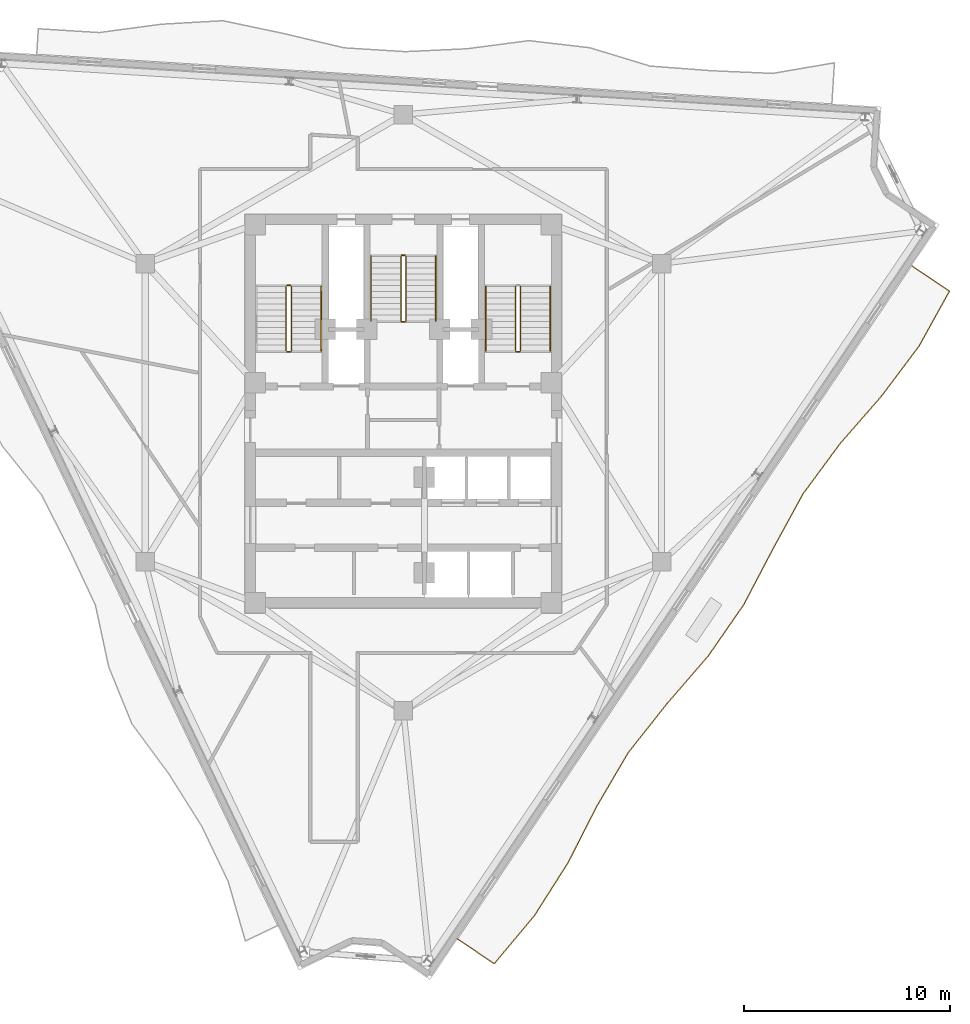
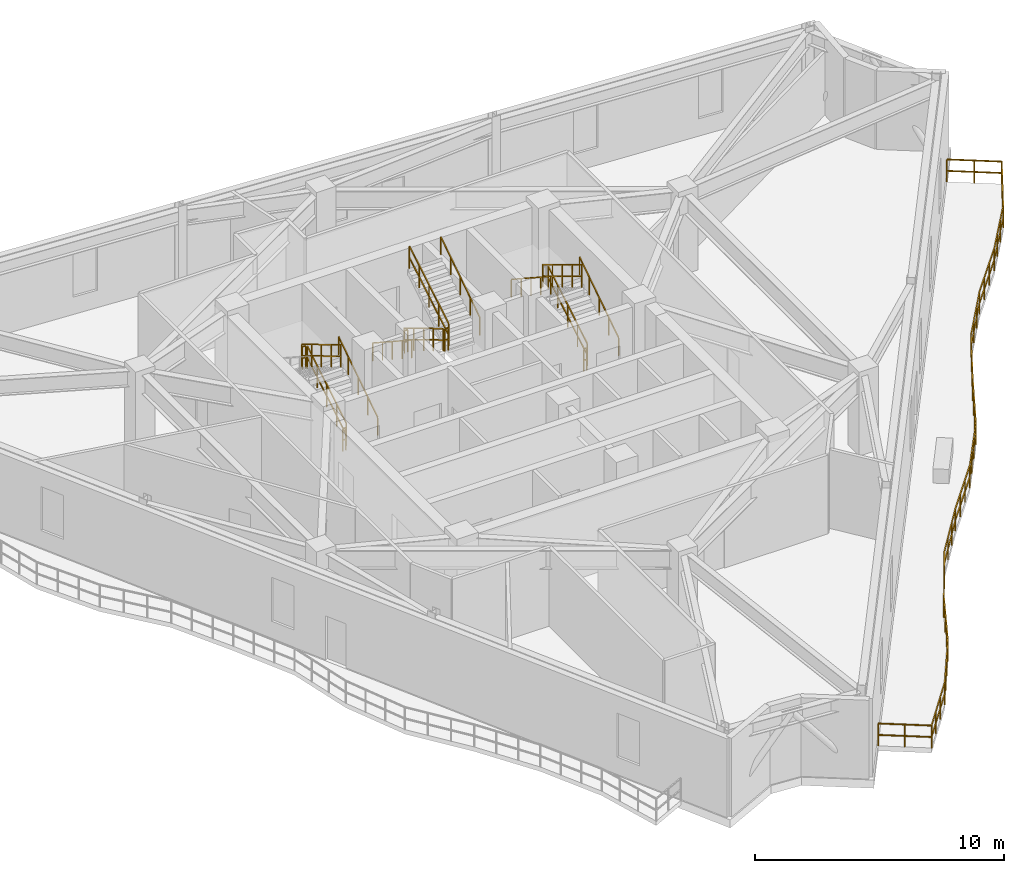
# One storey, part 10 of 11: 17 railings.
"""IFC4 building model written with IfcOpenShell, lengths in metres."""

import ifcopenshell
import ifcopenshell.guid

model = None  # the IFC model being written
_history = None  # IfcOwnerHistory: only IFC2X3 demands one
_inside = {}  # id of a spatial element -> (the spatial element, [elements in it])
_under = {}  # id of a project, library or spatial element -> (it, [spatial elements below it])
_declared = {}  # id of a project -> (the project, [libraries it declares])
_typed = {}  # id of a type object -> (the type object, [elements of that type])
_made_of = {}  # id of a material, layer set ... -> (it, [elements and type objects made of it])


def new_model(schema):
    """Start an empty IFC model of exactly this schema.

    Asked for "IFC4X3", IfcOpenShell would pick the latest addendum, in which some entities
    have other attributes; the version numbers below select the first issue.
    IFC2X3 requires an IfcOwnerHistory on every rooted entity: one is made here for all.
    """
    global model, _history
    if schema == "IFC4X3":
        model = ifcopenshell.file(schema_version=(4, 3, 0, 0))
    else:
        model = ifcopenshell.file(schema=schema)
    _inside.clear()
    _under.clear()
    _declared.clear()
    _typed.clear()
    _made_of.clear()
    _history = None
    if model.schema == "IFC2X3":
        org = make("IfcOrganization", Name="unknown")
        user = make(
            "IfcPersonAndOrganization",
            ThePerson=make("IfcPerson", FamilyName="unknown"),
            TheOrganization=org,
        )
        app = make(
            "IfcApplication",
            ApplicationDeveloper=org,
            Version="unknown",
            ApplicationFullName="unknown",
            ApplicationIdentifier="unknown",
        )
        _history = make(
            "IfcOwnerHistory",
            OwningUser=user,
            OwningApplication=app,
            ChangeAction="ADDED",
            CreationDate=0,
        )
    return model


def make(cls, **values):
    """One entity of the class cls with the attributes given. An attribute that is None is left unset."""
    return model.create_entity(
        cls, **{name: value for name, value in values.items() if value is not None}
    )


def rooted(cls, **values):
    """An entity with a GlobalId (a new one), such as an element, a storey or a relation."""
    return make(cls, GlobalId=ifcopenshell.guid.new(), OwnerHistory=_history, **values)


def si_unit(unit_type, name, prefix=None):
    """IfcSIUnit, for example si_unit("LENGTHUNIT", "METRE", prefix="MILLI")."""
    return make("IfcSIUnit", UnitType=unit_type, Prefix=prefix, Name=name)


def assignment(units):
    """IfcUnitAssignment: the units of a project."""
    return None if units is None else make("IfcUnitAssignment", Units=units)


def point(xyz):
    """IfcCartesianPoint."""
    return None if xyz is None else make("IfcCartesianPoint", Coordinates=xyz)


def direction(xyz):
    """IfcDirection."""
    return None if xyz is None else make("IfcDirection", DirectionRatios=xyz)


def frame(location, z_axis=None, x_axis=None):
    """IfcAxis2Placement3D, a coordinate frame: its origin and axes. An axis left out is left unset."""
    return make(
        "IfcAxis2Placement3D",
        Location=point(location),
        Axis=direction(z_axis),
        RefDirection=direction(x_axis),
    )


def frame_2d(location, x_axis=None):
    """IfcAxis2Placement2D, a coordinate frame in the plane: its origin and x axis."""
    return make(
        "IfcAxis2Placement2D", Location=point(location), RefDirection=direction(x_axis)
    )


def origin():
    """The frame at (0, 0, 0) with its axes left unset."""
    return frame((0.0, 0.0, 0.0))


def origin_2d():
    """The frame at (0, 0) in the plane with its x axis left unset."""
    return frame_2d((0.0, 0.0))


def place(relative_to, where):
    """IfcLocalPlacement: puts the frame where relative to a parent placement (None: the world)."""
    return make(
        "IfcLocalPlacement", PlacementRelTo=relative_to, RelativePlacement=where
    )


def context(
    kind, dimensions, precision=None, world=None, true_north=None, identifier=None
):
    """IfcGeometricRepresentationContext, for example the 3D "Model" context."""
    return make(
        "IfcGeometricRepresentationContext",
        ContextIdentifier=identifier,
        ContextType=kind,
        CoordinateSpaceDimension=dimensions,
        Precision=precision,
        WorldCoordinateSystem=world,
        TrueNorth=true_north,
    )


def subcontext(parent, identifier, kind, view, scale=None):
    """IfcGeometricRepresentationSubContext, for example "Body" below "Model"."""
    return make(
        "IfcGeometricRepresentationSubContext",
        ContextIdentifier=identifier,
        ContextType=kind,
        ParentContext=parent,
        TargetScale=scale,
        TargetView=view,
    )


def project(units=None, contexts=None):
    """IfcProject with its units and contexts."""
    return rooted(
        "IfcProject",
        Name="project",
        RepresentationContexts=contexts,
        UnitsInContext=assignment(units),
    )


def spatial(cls, under=None, at=None, **own):
    """A site, building, storey or space (cls), placed at a placement, below another one or the project."""
    s = rooted(cls, ObjectPlacement=at, **own)
    if under is not None:
        _under.setdefault(under.id(), (under, []))[1].append(s)
    return s


def profile(cls, at=None, kind="AREA", **sizes):
    """A parametric profile (cls). Its sizes go by their IFC names, for example OverallWidth=200.0."""
    return make(cls, ProfileType=kind, Position=at, **sizes)


def rectangle(**sizes):
    """IfcRectangleProfileDef."""
    return profile("IfcRectangleProfileDef", **sizes)


def extrude(swept, where, along, depth):
    """IfcExtrudedAreaSolid: the profile swept, set in the frame where, extruded along a direction by depth."""
    return make(
        "IfcExtrudedAreaSolid",
        SweptArea=swept,
        Position=where,
        ExtrudedDirection=direction(along),
        Depth=depth,
    )


def shape(context_of_items, identifier, shape_type, items):
    """IfcShapeRepresentation: the items that make up one representation, for example the "Body"."""
    return make(
        "IfcShapeRepresentation",
        ContextOfItems=context_of_items,
        RepresentationIdentifier=identifier,
        RepresentationType=shape_type,
        Items=items,
    )


def material(Name=None, Category=None):
    """IfcMaterial."""
    return make("IfcMaterial", Name=Name, Category=Category)


def made_of(thing, what):
    """Note that an element or type object is made of a material, layer set ...; save() writes the relation."""
    if what is not None:
        _made_of.setdefault(what.id(), (what, []))[1].append(thing)
    return thing


def type_object(cls, material=None, **own):
    """A type object (cls), such as IfcWallType, which elements share."""
    return made_of(rooted(cls, **own), material)


def element(
    cls,
    number,
    at=None,
    inside=None,
    cuts=None,
    type_object=None,
    material=None,
    context=None,
    identifier="Body",
    shape_type=None,
    held_by="IfcProductDefinitionShape",
    body=None,
    shapes=None,
    **own,
):
    """One element of the class cls, such as IfcWall. Its Tag is "e" and its number.

    at: its placement. inside: the storey or other place that contains it. cuts: it is an
    opening in that element (IfcRelVoidsElement). A single representation is given by context,
    identifier, shape_type and body (its items); several are given by shapes. held_by: the class
    of the entity that holds the representations. save() writes the other relations.
    """
    e = rooted(cls, Tag="e%d" % number, ObjectPlacement=at, **own)
    if body is not None:
        shapes = [shape(context, identifier, shape_type, body)]
    if shapes is not None:
        e.Representation = make(held_by, Representations=shapes)
    if inside is not None:
        _inside.setdefault(inside.id(), (inside, []))[1].append(e)
    if cuts is not None:
        rooted(
            "IfcRelVoidsElement", RelatingBuildingElement=cuts, RelatedOpeningElement=e
        )
    if type_object is not None:
        _typed.setdefault(type_object.id(), (type_object, []))[1].append(e)
    return made_of(e, material)


def aggregate(whole, parts):
    """IfcRelAggregates: a whole, such as a stair, and the parts it consists of."""
    return rooted("IfcRelAggregates", RelatingObject=whole, RelatedObjects=parts)


def save(model, path):
    """Write the relations noted so far, then the file.

    IfcRelAggregates (storeys below a building ...), IfcRelContainedInSpatialStructure (elements
    in a storey), IfcRelDefinesByType, IfcRelAssociatesMaterial and IfcRelDeclares: one each for
    every whole, place, type object, material and project.
    """
    for whole, parts in _under.values():
        aggregate(whole, parts)
    for where, things in _inside.values():
        rooted(
            "IfcRelContainedInSpatialStructure",
            RelatedElements=things,
            RelatingStructure=where,
        )
    for kind, things in _typed.values():
        rooted("IfcRelDefinesByType", RelatedObjects=things, RelatingType=kind)
    for what, things in _made_of.values():
        rooted("IfcRelAssociatesMaterial", RelatedObjects=things, RelatingMaterial=what)
    for by, libraries in _declared.values():
        rooted("IfcRelDeclares", RelatingContext=by, RelatedDefinitions=libraries)
    model.write(path)


model = new_model("IFC4")

# Units and contexts
model_context = context("Model", 3, precision=1e-05, world=origin(), true_north=direction((0.0, 1.0)))
body_context = subcontext(model_context, "Body", "Model", "MODEL_VIEW")
ifc_project = project(units=[si_unit("LENGTHUNIT", "METRE"), si_unit("AREAUNIT", "SQUARE_METRE"), si_unit("VOLUMEUNIT", "CUBIC_METRE"), si_unit("PLANEANGLEUNIT", "RADIAN"), si_unit("MASSUNIT", "GRAM", prefix="KILO")], contexts=[model_context])

# Site, building, storey
site_placement = place(None, origin())
site = spatial("IfcSite", under=ifc_project, at=site_placement, CompositionType="ELEMENT")
building_placement = place(site_placement, origin())
building = spatial("IfcBuilding", under=site, at=building_placement, Name="Apsidion Concourse Tower", CompositionType="ELEMENT")
storey_placement = place(building_placement, frame((0.0, 0.0, 294.199951171875)))
storey = spatial("IfcBuildingStorey", under=building, at=storey_placement, Name="L69", CompositionType="ELEMENT", Elevation=294.199951171875)

# Railings
ifc_material = material(Name="Brushed stainless steel 316", Category="steel")
railing_type_1 = type_object("IfcRailingType", Name="RL-BAL-1120", PredefinedType="BALUSTRADE", material=ifc_material)
railing_1_placement = place(storey_placement, frame((24.735595703125, 7.147216796875, 0.0)))
element("IfcRailing", 1, at=railing_1_placement, inside=storey, type_object=railing_type_1, Name="L69 Face 2 Spiral Terrace Balustrade", PredefinedType="BALUSTRADE", context=body_context, shape_type="SweptSolid", body=[
    extrude(rectangle(XDim=0.048095703125, YDim=0.048095703125, at=origin_2d()), frame((0.0, 0.0, 1.09619140625), z_axis=(0.829035273579, -0.559196311828, 0.0), x_axis=(0.559196311828, 0.829035273579, 0.0)), (0.0, 0.0, 1.0), 2.2138671875),
    extrude(rectangle(XDim=0.048095703125, YDim=0.048095703125, at=origin_2d()), frame((0.0, 0.0, 0.5361328125), z_axis=(0.829035273579, -0.559196311828, 0.0), x_axis=(0.559196311828, 0.829035273579, 0.0)), (0.0, 0.0, 1.0), 2.2138671875),
    extrude(rectangle(XDim=0.048095703125, YDim=0.048095703125, at=origin_2d()), frame((1.83544921875, -1.238037109375, 1.09619140625), z_axis=(-0.484202146789, -0.874956159499, 0.0), x_axis=(0.874956159499, -0.484202146789, 0.0)), (0.0, 0.0, 1.0), 3.051513671875),
    extrude(rectangle(XDim=0.048095703125, YDim=0.048095703125, at=origin_2d()), frame((1.83544921875, -1.238037109375, 0.5361328125), z_axis=(-0.484202146789, -0.874956159499, 0.0), x_axis=(0.874956159499, -0.484202146789, 0.0)), (0.0, 0.0, 1.0), 3.051513671875),
    extrude(rectangle(XDim=0.048095703125, YDim=0.048095703125, at=origin_2d()), frame((0.35791015625, -3.907958984375, 1.09619140625), z_axis=(-0.599768924347, -0.800173254606, 0.0), x_axis=(0.800173254606, -0.599768924347, 0.0)), (0.0, 0.0, 1.0), 3.043212890625),
    extrude(rectangle(XDim=0.048095703125, YDim=0.048095703125, at=origin_2d()), frame((0.35791015625, -3.907958984375, 0.5361328125), z_axis=(-0.599768924347, -0.800173254606, 0.0), x_axis=(0.800173254606, -0.599768924347, 0.0)), (0.0, 0.0, 1.0), 3.043212890625),
    extrude(rectangle(XDim=0.048095703125, YDim=0.048095703125, at=origin_2d()), frame((-1.46728515625, -6.343017578125, 1.09619140625), z_axis=(-0.657669135138, -0.753306915332, 0.0), x_axis=(0.753306915332, -0.657669135138, 0.0)), (0.0, 0.0, 1.0), 3.063232421875),
    extrude(rectangle(XDim=0.048095703125, YDim=0.048095703125, at=origin_2d()), frame((-1.46728515625, -6.343017578125, 0.5361328125), z_axis=(-0.657669135138, -0.753306915332, 0.0), x_axis=(0.753306915332, -0.657669135138, 0.0)), (0.0, 0.0, 1.0), 3.063232421875),
    extrude(rectangle(XDim=0.048095703125, YDim=0.048095703125, at=origin_2d()), frame((-3.48193359375, -8.650634765625, 1.09619140625), z_axis=(-0.593573979687, -0.804779429806, 0.0), x_axis=(0.804779429806, -0.593573979687, 0.0)), (0.0, 0.0, 1.0), 3.04248046875),
    extrude(rectangle(XDim=0.048095703125, YDim=0.048095703125, at=origin_2d()), frame((-3.48193359375, -8.650634765625, 0.5361328125), z_axis=(-0.593573979687, -0.804779429806, 0.0), x_axis=(0.804779429806, -0.593573979687, 0.0)), (0.0, 0.0, 1.0), 3.04248046875),
    extrude(rectangle(XDim=0.048095703125, YDim=0.048095703125, at=origin_2d()), frame((-5.287841796875, -11.09912109375, 1.09619140625), z_axis=(-0.479294738192, -0.877654005826, 0.0), x_axis=(0.877654005826, -0.479294738192, 0.0)), (0.0, 0.0, 1.0), 3.052734375),
    extrude(rectangle(XDim=0.048095703125, YDim=0.048095703125, at=origin_2d()), frame((-5.287841796875, -11.09912109375, 0.5361328125), z_axis=(-0.479294738192, -0.877654005826, 0.0), x_axis=(0.877654005826, -0.479294738192, 0.0)), (0.0, 0.0, 1.0), 3.052734375),
    extrude(rectangle(XDim=0.048095703125, YDim=0.048095703125, at=origin_2d()), frame((-6.7509765625, -13.7783203125, 1.09619140625), z_axis=(-0.464024891368, -0.885822160589, 0.0), x_axis=(0.885822160589, -0.464024891368, 0.0)), (0.0, 0.0, 1.0), 3.058349609375),
    extrude(rectangle(XDim=0.048095703125, YDim=0.048095703125, at=origin_2d()), frame((-6.7509765625, -13.7783203125, 0.5361328125), z_axis=(-0.464024891368, -0.885822160589, 0.0), x_axis=(0.885822160589, -0.464024891368, 0.0)), (0.0, 0.0, 1.0), 3.058349609375),
    extrude(rectangle(XDim=0.048095703125, YDim=0.048095703125, at=origin_2d()), frame((-8.170166015625, -16.487548828125, 1.09619140625), z_axis=(-0.569017854512, -0.822325167587, 0.0), x_axis=(0.822325167587, -0.569017854512, 0.0)), (0.0, 0.0, 1.0), 3.039794921875),
    extrude(rectangle(XDim=0.048095703125, YDim=0.048095703125, at=origin_2d()), frame((-8.170166015625, -16.487548828125, 0.5361328125), z_axis=(-0.569017854512, -0.822325167587, 0.0), x_axis=(0.822325167587, -0.569017854512, 0.0)), (0.0, 0.0, 1.0), 3.039794921875),
    extrude(rectangle(XDim=0.048095703125, YDim=0.048095703125, at=origin_2d()), frame((-9.89990234375, -18.9873046875, 1.09619140625), z_axis=(-0.654010121993, -0.756485796516, 0.0), x_axis=(0.756485796516, -0.654010121993, 0.0)), (0.0, 0.0, 1.0), 3.0615234375),
    extrude(rectangle(XDim=0.048095703125, YDim=0.048095703125, at=origin_2d()), frame((-9.89990234375, -18.9873046875, 0.5361328125), z_axis=(-0.654010121993, -0.756485796516, 0.0), x_axis=(0.756485796516, -0.654010121993, 0.0)), (0.0, 0.0, 1.0), 3.0615234375),
    extrude(rectangle(XDim=0.048095703125, YDim=0.048095703125, at=origin_2d()), frame((-11.902099609375, -21.30322265625, 1.09619140625), z_axis=(-0.620858838639, -0.783922382946, 0.0), x_axis=(0.783922382946, -0.620858838639, 0.0)), (0.0, 0.0, 1.0), 3.04833984375),
    extrude(rectangle(XDim=0.048095703125, YDim=0.048095703125, at=origin_2d()), frame((-11.902099609375, -21.30322265625, 0.5361328125), z_axis=(-0.620858838639, -0.783922382946, 0.0), x_axis=(0.783922382946, -0.620858838639, 0.0)), (0.0, 0.0, 1.0), 3.04833984375),
    extrude(rectangle(XDim=0.048095703125, YDim=0.048095703125, at=origin_2d()), frame((-13.794677734375, -23.69287109375, 1.09619140625), z_axis=(-0.505390322373, -0.86289085176, 0.0), x_axis=(0.86289085176, -0.505390322373, 0.0)), (0.0, 0.0, 1.0), 3.0458984375),
    extrude(rectangle(XDim=0.048095703125, YDim=0.048095703125, at=origin_2d()), frame((-13.794677734375, -23.69287109375, 0.5361328125), z_axis=(-0.505390322373, -0.86289085176, 0.0), x_axis=(0.86289085176, -0.505390322373, 0.0)), (0.0, 0.0, 1.0), 3.0458984375),
    extrude(rectangle(XDim=0.048095703125, YDim=0.048095703125, at=origin_2d()), frame((-15.333984375, -26.321044921875, 1.09619140625), z_axis=(-0.45338836857, -0.891313069154, 0.0), x_axis=(0.891313069154, -0.45338836857, 0.0)), (0.0, 0.0, 1.0), 3.06298828125),
    extrude(rectangle(XDim=0.048095703125, YDim=0.048095703125, at=origin_2d()), frame((-15.333984375, -26.321044921875, 0.5361328125), z_axis=(-0.45338836857, -0.891313069154, 0.0), x_axis=(0.891313069154, -0.45338836857, 0.0)), (0.0, 0.0, 1.0), 3.06298828125),
    extrude(rectangle(XDim=0.048095703125, YDim=0.048095703125, at=origin_2d()), frame((-16.72265625, -29.051025390625, 1.09619140625), z_axis=(-0.536428617401, -0.843945696377, 0.0), x_axis=(0.843945696377, -0.536428617401, 0.0)), (0.0, 0.0, 1.0), 3.040771484375),
    extrude(rectangle(XDim=0.048095703125, YDim=0.048095703125, at=origin_2d()), frame((-16.72265625, -29.051025390625, 0.5361328125), z_axis=(-0.536428617401, -0.843945696377, 0.0), x_axis=(0.843945696377, -0.536428617401, 0.0)), (0.0, 0.0, 1.0), 3.040771484375),
    extrude(rectangle(XDim=0.048095703125, YDim=0.048095703125, at=origin_2d()), frame((-18.353759765625, -31.6171875, 1.09619140625), z_axis=(-0.641472287441, -0.767146207997, 0.0), x_axis=(0.767146207997, -0.641472287441, 0.0)), (0.0, 0.0, 1.0), 3.055908203125),
    extrude(rectangle(XDim=0.048095703125, YDim=0.048095703125, at=origin_2d()), frame((-18.353759765625, -31.6171875, 0.5361328125), z_axis=(-0.641472287441, -0.767146207997, 0.0), x_axis=(0.767146207997, -0.641472287441, 0.0)), (0.0, 0.0, 1.0), 3.055908203125),
    extrude(rectangle(XDim=0.048095703125, YDim=0.048095703125, at=origin_2d()), frame((-20.31396484375, -33.96142578125, 1.09619140625), z_axis=(-0.828980299541, 0.559277804827, 0.0), x_axis=(-0.559277804827, -0.828980299541, 0.0)), (0.0, 0.0, 1.0), 2.14990234375),
    extrude(rectangle(XDim=0.048095703125, YDim=0.048095703125, at=origin_2d()), frame((-20.31396484375, -33.96142578125, 0.5361328125), z_axis=(-0.828980299541, 0.559277804827, 0.0), x_axis=(-0.559277804827, -0.828980299541, 0.0)), (0.0, 0.0, 1.0), 2.14990234375),
    extrude(rectangle(XDim=0.0419921875, YDim=0.0419921875, at=origin_2d()), origin(), (0.0, 0.0, 1.0), 1.072021484375),
    extrude(rectangle(XDim=0.0419921875, YDim=0.0419921875, at=origin_2d()), frame((0.917724609375, -0.619140625, 0.0)), (0.0, 0.0, 1.0), 1.072021484375),
    extrude(rectangle(XDim=0.0419921875, YDim=0.0419921875, at=origin_2d()), frame((1.83544921875, -1.238037109375, 0.0)), (0.0, 0.0, 1.0), 1.072021484375),
    extrude(rectangle(XDim=0.0419921875, YDim=0.0419921875, at=origin_2d()), frame((1.343017578125, -2.1279296875, 0.0)), (0.0, 0.0, 1.0), 1.072021484375),
    extrude(rectangle(XDim=0.0419921875, YDim=0.0419921875, at=origin_2d()), frame((0.850341796875, -3.01806640625, 0.0)), (0.0, 0.0, 1.0), 1.072021484375),
    extrude(rectangle(XDim=0.0419921875, YDim=0.0419921875, at=origin_2d()), frame((0.35791015625, -3.907958984375, 0.0)), (0.0, 0.0, 1.0), 1.072021484375),
    extrude(rectangle(XDim=0.0419921875, YDim=0.0419921875, at=origin_2d()), frame((-0.25048828125, -4.7197265625, 0.0)), (0.0, 0.0, 1.0), 1.072021484375),
    extrude(rectangle(XDim=0.0419921875, YDim=0.0419921875, at=origin_2d()), frame((-0.85888671875, -5.53125, 0.0)), (0.0, 0.0, 1.0), 1.072021484375),
    extrude(rectangle(XDim=0.0419921875, YDim=0.0419921875, at=origin_2d()), frame((-1.46728515625, -6.343017578125, 0.0)), (0.0, 0.0, 1.0), 1.072021484375),
    extrude(rectangle(XDim=0.0419921875, YDim=0.0419921875, at=origin_2d()), frame((-2.138916015625, -7.1123046875, 0.0)), (0.0, 0.0, 1.0), 1.072021484375),
    extrude(rectangle(XDim=0.0419921875, YDim=0.0419921875, at=origin_2d()), frame((-2.810302734375, -7.88134765625, 0.0)), (0.0, 0.0, 1.0), 1.072021484375),
    extrude(rectangle(XDim=0.0419921875, YDim=0.0419921875, at=origin_2d()), frame((-3.48193359375, -8.650634765625, 0.0)), (0.0, 0.0, 1.0), 1.072021484375),
    extrude(rectangle(XDim=0.0419921875, YDim=0.0419921875, at=origin_2d()), frame((-4.083984375, -9.466796875, 0.0)), (0.0, 0.0, 1.0), 1.072021484375),
    extrude(rectangle(XDim=0.0419921875, YDim=0.0419921875, at=origin_2d()), frame((-4.685791015625, -10.282958984375, 0.0)), (0.0, 0.0, 1.0), 1.072021484375),
    extrude(rectangle(XDim=0.0419921875, YDim=0.0419921875, at=origin_2d()), frame((-5.287841796875, -11.09912109375, 0.0)), (0.0, 0.0, 1.0), 1.072021484375),
    extrude(rectangle(XDim=0.0419921875, YDim=0.0419921875, at=origin_2d()), frame((-5.775634765625, -11.9921875, 0.0)), (0.0, 0.0, 1.0), 1.072021484375),
    extrude(rectangle(XDim=0.0419921875, YDim=0.0419921875, at=origin_2d()), frame((-6.26318359375, -12.88525390625, 0.0)), (0.0, 0.0, 1.0), 1.072021484375),
    extrude(rectangle(XDim=0.0419921875, YDim=0.0419921875, at=origin_2d()), frame((-6.7509765625, -13.7783203125, 0.0)), (0.0, 0.0, 1.0), 1.072021484375),
    extrude(rectangle(XDim=0.0419921875, YDim=0.0419921875, at=origin_2d()), frame((-7.22412109375, -14.681396484375, 0.0)), (0.0, 0.0, 1.0), 1.072021484375),
    extrude(rectangle(XDim=0.0419921875, YDim=0.0419921875, at=origin_2d()), frame((-7.697021484375, -15.58447265625, 0.0)), (0.0, 0.0, 1.0), 1.072021484375),
    extrude(rectangle(XDim=0.0419921875, YDim=0.0419921875, at=origin_2d()), frame((-8.170166015625, -16.487548828125, 0.0)), (0.0, 0.0, 1.0), 1.072021484375),
    extrude(rectangle(XDim=0.0419921875, YDim=0.0419921875, at=origin_2d()), frame((-8.746826171875, -17.32080078125, 0.0)), (0.0, 0.0, 1.0), 1.072021484375),
    extrude(rectangle(XDim=0.0419921875, YDim=0.0419921875, at=origin_2d()), frame((-9.3232421875, -18.154052734375, 0.0)), (0.0, 0.0, 1.0), 1.072021484375),
    extrude(rectangle(XDim=0.0419921875, YDim=0.0419921875, at=origin_2d()), frame((-9.89990234375, -18.9873046875, 0.0)), (0.0, 0.0, 1.0), 1.072021484375),
    extrude(rectangle(XDim=0.0419921875, YDim=0.0419921875, at=origin_2d()), frame((-10.5673828125, -19.75927734375, 0.0)), (0.0, 0.0, 1.0), 1.072021484375),
    extrude(rectangle(XDim=0.0419921875, YDim=0.0419921875, at=origin_2d()), frame((-11.234619140625, -20.53125, 0.0)), (0.0, 0.0, 1.0), 1.072021484375),
    extrude(rectangle(XDim=0.0419921875, YDim=0.0419921875, at=origin_2d()), frame((-11.902099609375, -21.30322265625, 0.0)), (0.0, 0.0, 1.0), 1.072021484375),
    extrude(rectangle(XDim=0.0419921875, YDim=0.0419921875, at=origin_2d()), frame((-12.532958984375, -22.099853515625, 0.0)), (0.0, 0.0, 1.0), 1.072021484375),
    extrude(rectangle(XDim=0.0419921875, YDim=0.0419921875, at=origin_2d()), frame((-13.163818359375, -22.896240234375, 0.0)), (0.0, 0.0, 1.0), 1.072021484375),
    extrude(rectangle(XDim=0.0419921875, YDim=0.0419921875, at=origin_2d()), frame((-13.794677734375, -23.69287109375, 0.0)), (0.0, 0.0, 1.0), 1.072021484375),
    extrude(rectangle(XDim=0.0419921875, YDim=0.0419921875, at=origin_2d()), frame((-14.307861328125, -24.56884765625, 0.0)), (0.0, 0.0, 1.0), 1.072021484375),
    extrude(rectangle(XDim=0.0419921875, YDim=0.0419921875, at=origin_2d()), frame((-14.82080078125, -25.445068359375, 0.0)), (0.0, 0.0, 1.0), 1.072021484375),
    extrude(rectangle(XDim=0.0419921875, YDim=0.0419921875, at=origin_2d()), frame((-15.333984375, -26.321044921875, 0.0)), (0.0, 0.0, 1.0), 1.072021484375),
    extrude(rectangle(XDim=0.0419921875, YDim=0.0419921875, at=origin_2d()), frame((-15.796875, -27.23095703125, 0.0)), (0.0, 0.0, 1.0), 1.072021484375),
    extrude(rectangle(XDim=0.0419921875, YDim=0.0419921875, at=origin_2d()), frame((-16.259765625, -28.14111328125, 0.0)), (0.0, 0.0, 1.0), 1.072021484375),
    extrude(rectangle(XDim=0.0419921875, YDim=0.0419921875, at=origin_2d()), frame((-16.72265625, -29.051025390625, 0.0)), (0.0, 0.0, 1.0), 1.072021484375),
    extrude(rectangle(XDim=0.0419921875, YDim=0.0419921875, at=origin_2d()), frame((-17.266357421875, -29.906494140625, 0.0)), (0.0, 0.0, 1.0), 1.072021484375),
    extrude(rectangle(XDim=0.0419921875, YDim=0.0419921875, at=origin_2d()), frame((-17.81005859375, -30.76171875, 0.0)), (0.0, 0.0, 1.0), 1.072021484375),
    extrude(rectangle(XDim=0.0419921875, YDim=0.0419921875, at=origin_2d()), frame((-18.353759765625, -31.6171875, 0.0)), (0.0, 0.0, 1.0), 1.072021484375),
    extrude(rectangle(XDim=0.0419921875, YDim=0.0419921875, at=origin_2d()), frame((-19.007080078125, -32.398681640625, 0.0)), (0.0, 0.0, 1.0), 1.072021484375),
    extrude(rectangle(XDim=0.0419921875, YDim=0.0419921875, at=origin_2d()), frame((-19.66064453125, -33.179931640625, 0.0)), (0.0, 0.0, 1.0), 1.072021484375),
    extrude(rectangle(XDim=0.0419921875, YDim=0.0419921875, at=origin_2d()), frame((-20.31396484375, -33.96142578125, 0.0)), (0.0, 0.0, 1.0), 1.072021484375),
    extrude(rectangle(XDim=0.0419921875, YDim=0.0419921875, at=origin_2d()), frame((-21.205078125, -33.3603515625, 0.0)), (0.0, 0.0, 1.0), 1.072021484375),
    extrude(rectangle(XDim=0.0419921875, YDim=0.0419921875, at=origin_2d()), frame((-22.09619140625, -32.759033203125, 0.0)), (0.0, 0.0, 1.0), 1.072021484375),
])
railing_type_2 = type_object("IfcRailingType", Name="RL-GUARD-1100", PredefinedType="GUARDRAIL", material=ifc_material)
railing_2_placement = place(storey_placement, frame((-5.449951171875, 3.0, 0.1708984375)))
element("IfcRailing", 2, at=railing_2_placement, inside=storey, type_object=railing_type_2, Name="L69 ST1 stair guard 1", PredefinedType="GUARDRAIL", context=body_context, shape_type="SweptSolid", body=[
    extrude(rectangle(XDim=0.048095703125, YDim=0.048095703125, at=origin_2d()), frame((0.0, 0.0, 1.09619140625), z_axis=(0.0, 0.857716804754, 0.514122439544), x_axis=(-1.0, 0.0, 0.0)), (0.0, 0.0, 1.0), 3.655029296875),
    extrude(rectangle(XDim=0.048095703125, YDim=0.048095703125, at=origin_2d()), frame((0.0, 0.0, 0.5361328125), z_axis=(0.0, 0.857716804754, 0.514122439544), x_axis=(-1.0, 0.0, 0.0)), (0.0, 0.0, 1.0), 3.655029296875),
    extrude(rectangle(XDim=0.0419921875, YDim=0.0419921875, at=origin_2d()), origin(), (0.0, 0.0, 1.0), 1.072021484375),
    extrude(rectangle(XDim=0.0419921875, YDim=0.0419921875, at=origin_2d()), frame((0.0, 0.78369140625, 0.4697265625)), (0.0, 0.0, 1.0), 1.072021484375),
    extrude(rectangle(XDim=0.0419921875, YDim=0.0419921875, at=origin_2d()), frame((0.0, 1.5673828125, 0.939453125)), (0.0, 0.0, 1.0), 1.072021484375),
    extrude(rectangle(XDim=0.0419921875, YDim=0.0419921875, at=origin_2d()), frame((0.0, 2.351318359375, 1.409423828125)), (0.0, 0.0, 1.0), 1.072021484375),
    extrude(rectangle(XDim=0.0419921875, YDim=0.0419921875, at=origin_2d()), frame((0.0, 3.135009765625, 1.879150390625)), (0.0, 0.0, 1.0), 1.072021484375),
])
railing_3_placement = place(storey_placement, frame((-5.5, 6.18505859375, 2.050048828125)))
element("IfcRailing", 3, at=railing_3_placement, inside=storey, type_object=railing_type_2, Name="L69 ST1 stair guard 2", PredefinedType="GUARDRAIL", context=body_context, shape_type="SweptSolid", body=[
    extrude(rectangle(XDim=0.048095703125, YDim=0.048095703125, at=origin_2d()), frame((0.0, 0.0, 1.09619140625), z_axis=(-1.0, 0.0, 0.0), x_axis=(0.0, -1.0, 0.0)), (0.0, 0.0, 1.0), 0.14990234375),
    extrude(rectangle(XDim=0.048095703125, YDim=0.048095703125, at=origin_2d()), frame((0.0, 0.0, 0.5361328125), z_axis=(-1.0, 0.0, 0.0), x_axis=(0.0, -1.0, 0.0)), (0.0, 0.0, 1.0), 0.14990234375),
    extrude(rectangle(XDim=0.0419921875, YDim=0.0419921875, at=origin_2d()), origin(), (0.0, 0.0, 1.0), 1.072021484375),
    extrude(rectangle(XDim=0.0419921875, YDim=0.0419921875, at=origin_2d()), frame((-0.14990234375, 0.0, 0.0)), (0.0, 0.0, 1.0), 1.072021484375),
])
railing_4_placement = place(storey_placement, frame((-5.699951171875, 6.135009765625, 2.220947265625)))
element("IfcRailing", 4, at=railing_4_placement, inside=storey, type_object=railing_type_2, Name="L69 ST1 stair guard 3", PredefinedType="GUARDRAIL", context=body_context, shape_type="SweptSolid", body=[
    extrude(rectangle(XDim=0.048095703125, YDim=0.048095703125, at=origin_2d()), frame((0.0, 0.0, 1.09619140625), z_axis=(0.0, -0.857716804754, 0.514122439544), x_axis=(1.0, 0.0, 0.0)), (0.0, 0.0, 1.0), 3.655029296875),
    extrude(rectangle(XDim=0.048095703125, YDim=0.048095703125, at=origin_2d()), frame((0.0, 0.0, 0.5361328125), z_axis=(0.0, -0.857716804754, 0.514122439544), x_axis=(1.0, 0.0, 0.0)), (0.0, 0.0, 1.0), 3.655029296875),
    extrude(rectangle(XDim=0.0419921875, YDim=0.0419921875, at=origin_2d()), origin(), (0.0, 0.0, 1.0), 1.072021484375),
    extrude(rectangle(XDim=0.0419921875, YDim=0.0419921875, at=origin_2d()), frame((0.0, -0.78369140625, 0.4697265625)), (0.0, 0.0, 1.0), 1.072021484375),
    extrude(rectangle(XDim=0.0419921875, YDim=0.0419921875, at=origin_2d()), frame((0.0, -1.5673828125, 0.939453125)), (0.0, 0.0, 1.0), 1.072021484375),
    extrude(rectangle(XDim=0.0419921875, YDim=0.0419921875, at=origin_2d()), frame((0.0, -2.351318359375, 1.409423828125)), (0.0, 0.0, 1.0), 1.072021484375),
    extrude(rectangle(XDim=0.0419921875, YDim=0.0419921875, at=origin_2d()), frame((0.0, -3.135009765625, 1.879150390625)), (0.0, 0.0, 1.0), 1.072021484375),
])
railing_5_placement = place(storey_placement, frame((-5.5, 2.949951171875, 0.0)))
element("IfcRailing", 5, at=railing_5_placement, inside=storey, type_object=railing_type_2, Name="L69 ST1 stair guard 4", PredefinedType="GUARDRAIL", context=body_context, shape_type="SweptSolid", body=[
    extrude(rectangle(XDim=0.048095703125, YDim=0.048095703125, at=origin_2d()), frame((0.0, 0.0, 1.09619140625), z_axis=(-1.0, 0.0, 0.0), x_axis=(0.0, -1.0, 0.0)), (0.0, 0.0, 1.0), 0.14990234375),
    extrude(rectangle(XDim=0.048095703125, YDim=0.048095703125, at=origin_2d()), frame((0.0, 0.0, 0.5361328125), z_axis=(-1.0, 0.0, 0.0), x_axis=(0.0, -1.0, 0.0)), (0.0, 0.0, 1.0), 0.14990234375),
    extrude(rectangle(XDim=0.0419921875, YDim=0.0419921875, at=origin_2d()), origin(), (0.0, 0.0, 1.0), 1.072021484375),
    extrude(rectangle(XDim=0.0419921875, YDim=0.0419921875, at=origin_2d()), frame((-0.14990234375, 0.0, 0.0)), (0.0, 0.0, 1.0), 1.072021484375),
])
railing_6_placement = place(storey_placement, frame((5.699951171875, 3.0, 0.1708984375)))
element("IfcRailing", 6, at=railing_6_placement, inside=storey, type_object=railing_type_2, Name="L69 ST2 stair guard 1", PredefinedType="GUARDRAIL", context=body_context, shape_type="SweptSolid", body=[
    extrude(rectangle(XDim=0.048095703125, YDim=0.048095703125, at=origin_2d()), frame((0.0, 0.0, 1.09619140625), z_axis=(0.0, 0.857716804754, 0.514122439544), x_axis=(-1.0, 0.0, 0.0)), (0.0, 0.0, 1.0), 3.655029296875),
    extrude(rectangle(XDim=0.048095703125, YDim=0.048095703125, at=origin_2d()), frame((0.0, 0.0, 0.5361328125), z_axis=(0.0, 0.857716804754, 0.514122439544), x_axis=(-1.0, 0.0, 0.0)), (0.0, 0.0, 1.0), 3.655029296875),
    extrude(rectangle(XDim=0.0419921875, YDim=0.0419921875, at=origin_2d()), origin(), (0.0, 0.0, 1.0), 1.072021484375),
    extrude(rectangle(XDim=0.0419921875, YDim=0.0419921875, at=origin_2d()), frame((0.0, 0.78369140625, 0.4697265625)), (0.0, 0.0, 1.0), 1.072021484375),
    extrude(rectangle(XDim=0.0419921875, YDim=0.0419921875, at=origin_2d()), frame((0.0, 1.5673828125, 0.939453125)), (0.0, 0.0, 1.0), 1.072021484375),
    extrude(rectangle(XDim=0.0419921875, YDim=0.0419921875, at=origin_2d()), frame((0.0, 2.351318359375, 1.409423828125)), (0.0, 0.0, 1.0), 1.072021484375),
    extrude(rectangle(XDim=0.0419921875, YDim=0.0419921875, at=origin_2d()), frame((0.0, 3.135009765625, 1.879150390625)), (0.0, 0.0, 1.0), 1.072021484375),
])
railing_7_placement = place(storey_placement, frame((5.449951171875, 6.135009765625, 2.220947265625)))
element("IfcRailing", 7, at=railing_7_placement, inside=storey, type_object=railing_type_2, Name="L69 ST2 stair guard 3", PredefinedType="GUARDRAIL", context=body_context, shape_type="SweptSolid", body=[
    extrude(rectangle(XDim=0.048095703125, YDim=0.048095703125, at=origin_2d()), frame((0.0, 0.0, 1.09619140625), z_axis=(0.0, -0.857716804754, 0.514122439544), x_axis=(1.0, 0.0, 0.0)), (0.0, 0.0, 1.0), 3.655029296875),
    extrude(rectangle(XDim=0.048095703125, YDim=0.048095703125, at=origin_2d()), frame((0.0, 0.0, 0.5361328125), z_axis=(0.0, -0.857716804754, 0.514122439544), x_axis=(1.0, 0.0, 0.0)), (0.0, 0.0, 1.0), 3.655029296875),
    extrude(rectangle(XDim=0.0419921875, YDim=0.0419921875, at=origin_2d()), origin(), (0.0, 0.0, 1.0), 1.072021484375),
    extrude(rectangle(XDim=0.0419921875, YDim=0.0419921875, at=origin_2d()), frame((0.0, -0.78369140625, 0.4697265625)), (0.0, 0.0, 1.0), 1.072021484375),
    extrude(rectangle(XDim=0.0419921875, YDim=0.0419921875, at=origin_2d()), frame((0.0, -1.5673828125, 0.939453125)), (0.0, 0.0, 1.0), 1.072021484375),
    extrude(rectangle(XDim=0.0419921875, YDim=0.0419921875, at=origin_2d()), frame((0.0, -2.351318359375, 1.409423828125)), (0.0, 0.0, 1.0), 1.072021484375),
    extrude(rectangle(XDim=0.0419921875, YDim=0.0419921875, at=origin_2d()), frame((0.0, -3.135009765625, 1.879150390625)), (0.0, 0.0, 1.0), 1.072021484375),
])
railing_8_placement = place(storey_placement, frame((5.64990234375, 2.949951171875, 0.0)))
element("IfcRailing", 8, at=railing_8_placement, inside=storey, type_object=railing_type_2, Name="L69 ST2 stair guard 4", PredefinedType="GUARDRAIL", context=body_context, shape_type="SweptSolid", body=[
    extrude(rectangle(XDim=0.048095703125, YDim=0.048095703125, at=origin_2d()), frame((0.0, 0.0, 1.09619140625), z_axis=(-1.0, 0.0, 0.0), x_axis=(0.0, -1.0, 0.0)), (0.0, 0.0, 1.0), 0.14990234375),
    extrude(rectangle(XDim=0.048095703125, YDim=0.048095703125, at=origin_2d()), frame((0.0, 0.0, 0.5361328125), z_axis=(-1.0, 0.0, 0.0), x_axis=(0.0, -1.0, 0.0)), (0.0, 0.0, 1.0), 0.14990234375),
    extrude(rectangle(XDim=0.0419921875, YDim=0.0419921875, at=origin_2d()), origin(), (0.0, 0.0, 1.0), 1.072021484375),
    extrude(rectangle(XDim=0.0419921875, YDim=0.0419921875, at=origin_2d()), frame((-0.14990234375, 0.0, 0.0)), (0.0, 0.0, 1.0), 1.072021484375),
])
railing_9_placement = place(storey_placement, frame((-0.125, 7.60009765625, 0.1708984375)))
element("IfcRailing", 9, at=railing_9_placement, inside=storey, type_object=railing_type_2, Name="L69 ST3 stair guard 1", PredefinedType="GUARDRAIL", context=body_context, shape_type="SweptSolid", body=[
    extrude(rectangle(XDim=0.048095703125, YDim=0.048095703125, at=origin_2d()), frame((0.0, 0.0, 1.09619140625), z_axis=(0.0, -0.857716804754, 0.514122439544), x_axis=(1.0, 0.0, 0.0)), (0.0, 0.0, 1.0), 3.655029296875),
    extrude(rectangle(XDim=0.048095703125, YDim=0.048095703125, at=origin_2d()), frame((0.0, 0.0, 0.5361328125), z_axis=(0.0, -0.857716804754, 0.514122439544), x_axis=(1.0, 0.0, 0.0)), (0.0, 0.0, 1.0), 3.655029296875),
    extrude(rectangle(XDim=0.0419921875, YDim=0.0419921875, at=origin_2d()), origin(), (0.0, 0.0, 1.0), 1.072021484375),
    extrude(rectangle(XDim=0.0419921875, YDim=0.0419921875, at=origin_2d()), frame((0.0, -0.78369140625, 0.4697265625)), (0.0, 0.0, 1.0), 1.072021484375),
    extrude(rectangle(XDim=0.0419921875, YDim=0.0419921875, at=origin_2d()), frame((0.0, -1.5673828125, 0.939453125)), (0.0, 0.0, 1.0), 1.072021484375),
    extrude(rectangle(XDim=0.0419921875, YDim=0.0419921875, at=origin_2d()), frame((0.0, -2.351318359375, 1.409423828125)), (0.0, 0.0, 1.0), 1.072021484375),
    extrude(rectangle(XDim=0.0419921875, YDim=0.0419921875, at=origin_2d()), frame((0.0, -3.135009765625, 1.879150390625)), (0.0, 0.0, 1.0), 1.072021484375),
])
railing_10_placement = place(storey_placement, frame((-0.074951171875, 4.4150390625, 2.050048828125)))
element("IfcRailing", 10, at=railing_10_placement, inside=storey, type_object=railing_type_2, Name="L69 ST3 stair guard 2", PredefinedType="GUARDRAIL", context=body_context, shape_type="SweptSolid", body=[
    extrude(rectangle(XDim=0.048095703125, YDim=0.048095703125, at=origin_2d()), frame((0.0, 0.0, 1.09619140625), z_axis=(1.0, 0.0, 0.0), x_axis=(0.0, 1.0, 0.0)), (0.0, 0.0, 1.0), 0.14990234375),
    extrude(rectangle(XDim=0.048095703125, YDim=0.048095703125, at=origin_2d()), frame((0.0, 0.0, 0.5361328125), z_axis=(1.0, 0.0, 0.0), x_axis=(0.0, 1.0, 0.0)), (0.0, 0.0, 1.0), 0.14990234375),
    extrude(rectangle(XDim=0.0419921875, YDim=0.0419921875, at=origin_2d()), origin(), (0.0, 0.0, 1.0), 1.072021484375),
    extrude(rectangle(XDim=0.0419921875, YDim=0.0419921875, at=origin_2d()), frame((0.14990234375, 0.0, 0.0)), (0.0, 0.0, 1.0), 1.072021484375),
])
railing_11_placement = place(storey_placement, frame((0.125, 4.465087890625, 2.220947265625)))
element("IfcRailing", 11, at=railing_11_placement, inside=storey, type_object=railing_type_2, Name="L69 ST3 stair guard 3", PredefinedType="GUARDRAIL", context=body_context, shape_type="SweptSolid", body=[
    extrude(rectangle(XDim=0.048095703125, YDim=0.048095703125, at=origin_2d()), frame((0.0, 0.0, 1.09619140625), z_axis=(0.0, 0.857716804754, 0.514122439544), x_axis=(-1.0, 0.0, 0.0)), (0.0, 0.0, 1.0), 3.655029296875),
    extrude(rectangle(XDim=0.048095703125, YDim=0.048095703125, at=origin_2d()), frame((0.0, 0.0, 0.5361328125), z_axis=(0.0, 0.857716804754, 0.514122439544), x_axis=(-1.0, 0.0, 0.0)), (0.0, 0.0, 1.0), 3.655029296875),
    extrude(rectangle(XDim=0.0419921875, YDim=0.0419921875, at=origin_2d()), origin(), (0.0, 0.0, 1.0), 1.072021484375),
    extrude(rectangle(XDim=0.0419921875, YDim=0.0419921875, at=origin_2d()), frame((0.0, 0.78369140625, 0.4697265625)), (0.0, 0.0, 1.0), 1.072021484375),
    extrude(rectangle(XDim=0.0419921875, YDim=0.0419921875, at=origin_2d()), frame((0.0, 1.5673828125, 0.939453125)), (0.0, 0.0, 1.0), 1.072021484375),
    extrude(rectangle(XDim=0.0419921875, YDim=0.0419921875, at=origin_2d()), frame((0.0, 2.351318359375, 1.409423828125)), (0.0, 0.0, 1.0), 1.072021484375),
    extrude(rectangle(XDim=0.0419921875, YDim=0.0419921875, at=origin_2d()), frame((0.0, 3.135009765625, 1.879150390625)), (0.0, 0.0, 1.0), 1.072021484375),
])
railing_12_placement = place(storey_placement, frame((-0.074951171875, 7.64990234375, 0.0)))
element("IfcRailing", 12, at=railing_12_placement, inside=storey, type_object=railing_type_2, Name="L69 ST3 stair guard 4", PredefinedType="GUARDRAIL", context=body_context, shape_type="SweptSolid", body=[
    extrude(rectangle(XDim=0.048095703125, YDim=0.048095703125, at=origin_2d()), frame((0.0, 0.0, 1.09619140625), z_axis=(1.0, 0.0, 0.0), x_axis=(0.0, 1.0, 0.0)), (0.0, 0.0, 1.0), 0.14990234375),
    extrude(rectangle(XDim=0.048095703125, YDim=0.048095703125, at=origin_2d()), frame((0.0, 0.0, 0.5361328125), z_axis=(1.0, 0.0, 0.0), x_axis=(0.0, 1.0, 0.0)), (0.0, 0.0, 1.0), 0.14990234375),
    extrude(rectangle(XDim=0.0419921875, YDim=0.0419921875, at=origin_2d()), origin(), (0.0, 0.0, 1.0), 1.072021484375),
    extrude(rectangle(XDim=0.0419921875, YDim=0.0419921875, at=origin_2d()), frame((0.14990234375, 0.0, 0.0)), (0.0, 0.0, 1.0), 1.072021484375),
])
railing_type_3 = type_object("IfcRailingType", Name="RL-HAND-900", PredefinedType="HANDRAIL", material=ifc_material)
for number, where, name in (
    (13, (-4.0, 3.0, 0.1708984375), "L69 ST1 stair handrail 1"),
    (14, (7.14990234375, 3.0, 0.1708984375), "L69 ST2 stair handrail 1"),
):
    element("IfcRailing", number, at=place(storey_placement, frame(where)), inside=storey, type_object=railing_type_3, Name=name, PredefinedType="HANDRAIL", context=body_context, shape_type="SweptSolid", body=[
        extrude(rectangle(XDim=0.048095703125, YDim=0.048095703125, at=origin_2d()), frame((0.0, 0.0, 0.8759765625), z_axis=(0.0, 0.836940907821, 0.547293263996), x_axis=(-1.0, 0.0, 0.0)), (0.0, 0.0, 1.0), 3.745849609375),
        extrude(rectangle(XDim=0.0419921875, YDim=0.0419921875, at=origin_2d()), origin(), (0.0, 0.0, 1.0), 0.851806640625),
        extrude(rectangle(XDim=0.0419921875, YDim=0.0419921875, at=origin_2d()), frame((0.0, 0.78369140625, 0.512451171875)), (0.0, 0.0, 1.0), 0.851806640625),
        extrude(rectangle(XDim=0.0419921875, YDim=0.0419921875, at=origin_2d()), frame((0.0, 1.5673828125, 1.02490234375)), (0.0, 0.0, 1.0), 0.851806640625),
        extrude(rectangle(XDim=0.0419921875, YDim=0.0419921875, at=origin_2d()), frame((0.0, 2.351318359375, 1.53759765625)), (0.0, 0.0, 1.0), 0.851806640625),
        extrude(rectangle(XDim=0.0419921875, YDim=0.0419921875, at=origin_2d()), frame((0.0, 3.135009765625, 2.050048828125)), (0.0, 0.0, 1.0), 0.851806640625),
    ])
for number, where, name in (
    (15, (4.0, 6.135009765625, 2.220947265625), "L69 ST2 stair handrail 2"),
    (16, (-1.574951171875, 7.60009765625, 0.1708984375), "L69 ST3 stair handrail 1"),
):
    element("IfcRailing", number, at=place(storey_placement, frame(where)), inside=storey, type_object=railing_type_3, Name=name, PredefinedType="HANDRAIL", context=body_context, shape_type="SweptSolid", body=[
        extrude(rectangle(XDim=0.048095703125, YDim=0.048095703125, at=origin_2d()), frame((0.0, 0.0, 0.8759765625), z_axis=(0.0, -0.836940907821, 0.547293263996), x_axis=(1.0, 0.0, 0.0)), (0.0, 0.0, 1.0), 3.745849609375),
        extrude(rectangle(XDim=0.0419921875, YDim=0.0419921875, at=origin_2d()), origin(), (0.0, 0.0, 1.0), 0.851806640625),
        extrude(rectangle(XDim=0.0419921875, YDim=0.0419921875, at=origin_2d()), frame((0.0, -0.78369140625, 0.512451171875)), (0.0, 0.0, 1.0), 0.851806640625),
        extrude(rectangle(XDim=0.0419921875, YDim=0.0419921875, at=origin_2d()), frame((0.0, -1.5673828125, 1.02490234375)), (0.0, 0.0, 1.0), 0.851806640625),
        extrude(rectangle(XDim=0.0419921875, YDim=0.0419921875, at=origin_2d()), frame((0.0, -2.351318359375, 1.53759765625)), (0.0, 0.0, 1.0), 0.851806640625),
        extrude(rectangle(XDim=0.0419921875, YDim=0.0419921875, at=origin_2d()), frame((0.0, -3.135009765625, 2.050048828125)), (0.0, 0.0, 1.0), 0.851806640625),
    ])
railing_13_placement = place(storey_placement, frame((1.574951171875, 4.465087890625, 2.220947265625)))
element("IfcRailing", 17, at=railing_13_placement, inside=storey, type_object=railing_type_3, Name="L69 ST3 stair handrail 2", PredefinedType="HANDRAIL", context=body_context, shape_type="SweptSolid", body=[
    extrude(rectangle(XDim=0.048095703125, YDim=0.048095703125, at=origin_2d()), frame((0.0, 0.0, 0.8759765625), z_axis=(0.0, 0.836940907821, 0.547293263996), x_axis=(-1.0, 0.0, 0.0)), (0.0, 0.0, 1.0), 3.745849609375),
    extrude(rectangle(XDim=0.0419921875, YDim=0.0419921875, at=origin_2d()), origin(), (0.0, 0.0, 1.0), 0.851806640625),
    extrude(rectangle(XDim=0.0419921875, YDim=0.0419921875, at=origin_2d()), frame((0.0, 0.78369140625, 0.512451171875)), (0.0, 0.0, 1.0), 0.851806640625),
    extrude(rectangle(XDim=0.0419921875, YDim=0.0419921875, at=origin_2d()), frame((0.0, 1.5673828125, 1.02490234375)), (0.0, 0.0, 1.0), 0.851806640625),
    extrude(rectangle(XDim=0.0419921875, YDim=0.0419921875, at=origin_2d()), frame((0.0, 2.351318359375, 1.53759765625)), (0.0, 0.0, 1.0), 0.851806640625),
    extrude(rectangle(XDim=0.0419921875, YDim=0.0419921875, at=origin_2d()), frame((0.0, 3.135009765625, 2.050048828125)), (0.0, 0.0, 1.0), 0.851806640625),
])

save(model, "model.ifc")
